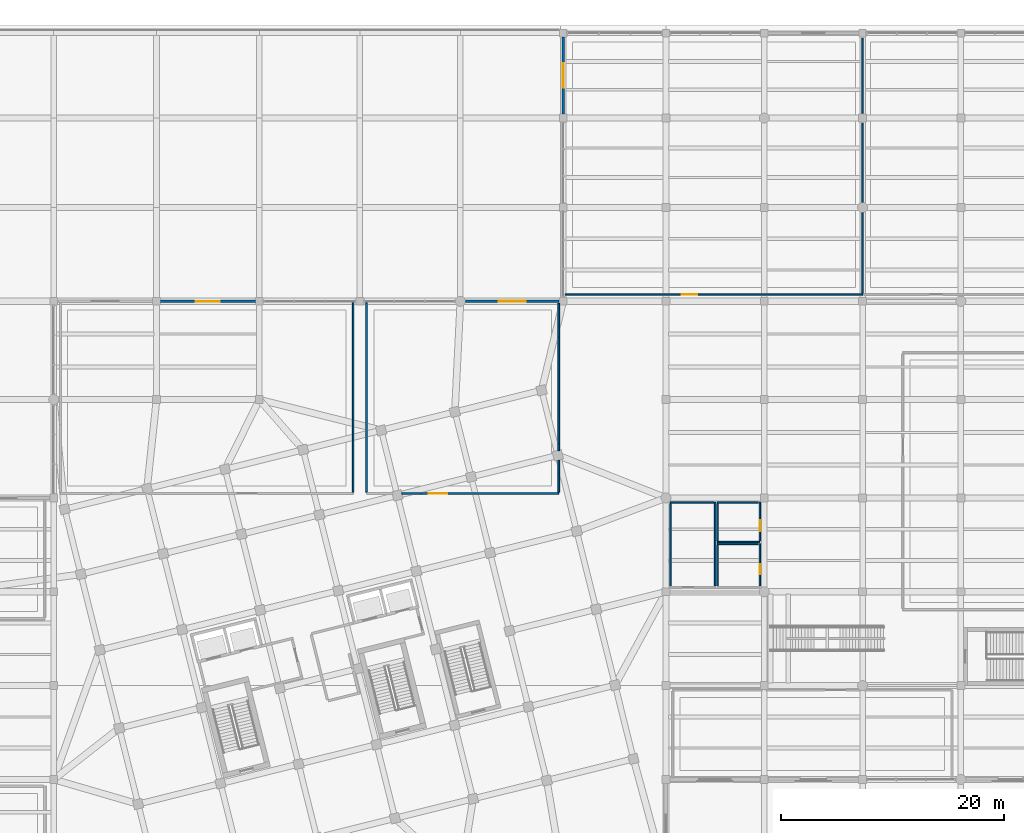
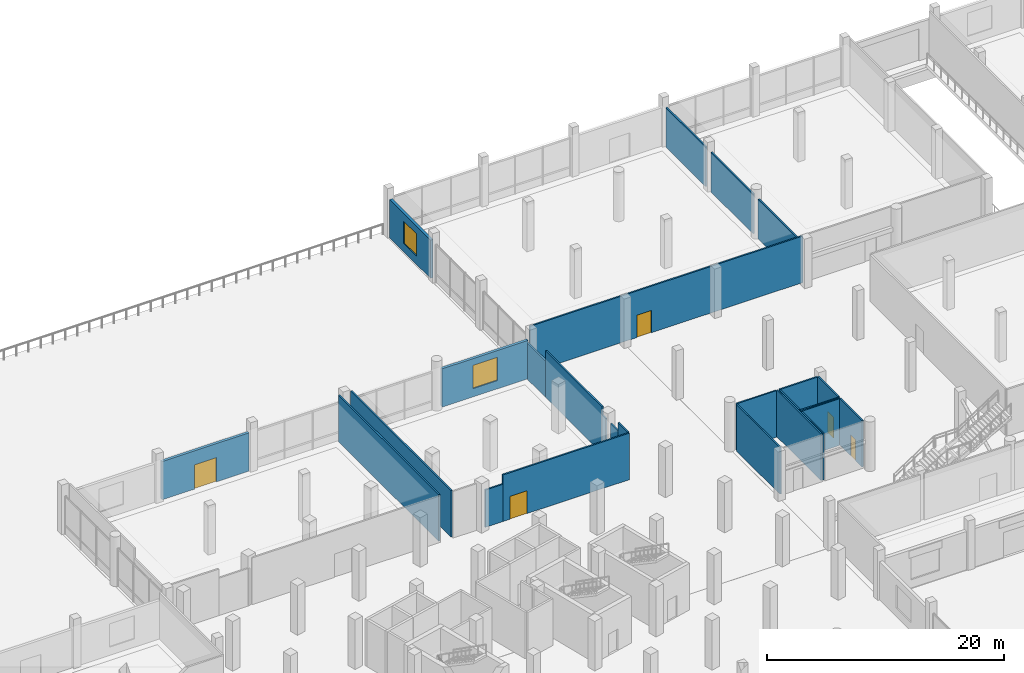
# One storey, part 63 of 73: 26 walls, 5 doors, 2 windows, 7 openings.
"""IFC4 building model written with IfcOpenShell, lengths in metres."""

from ifc_helpers import new_model, si_unit, direction, frame, frame_2d, origin, place, context, subcontext, project, spatial, rectangle, extrude, material, layer, layer_set, type_object, element, fill, save


model = new_model("IFC4")

# Units and contexts
model_context = context("Model", 3, precision=1e-05, world=origin(), true_north=direction((0.0, 1.0)))
body_context = subcontext(model_context, "Body", "Model", "MODEL_VIEW")
ifc_project = project(units=[si_unit("LENGTHUNIT", "METRE"), si_unit("AREAUNIT", "SQUARE_METRE"), si_unit("VOLUMEUNIT", "CUBIC_METRE"), si_unit("PLANEANGLEUNIT", "RADIAN"), si_unit("MASSUNIT", "GRAM", prefix="KILO")], contexts=[model_context])

# Site, building, storey
site_placement = place(None, origin())
site = spatial("IfcSite", under=ifc_project, at=site_placement, CompositionType="ELEMENT")
building_placement = place(site_placement, origin())
building = spatial("IfcBuilding", under=site, at=building_placement, Name="Meriwether Solvik Hall", CompositionType="ELEMENT")
storey_placement = place(building_placement, origin())
storey = spatial("IfcBuildingStorey", under=building, at=storey_placement, Name="L00", CompositionType="ELEMENT", Elevation=0.0)

# Wall, opening, door
ifc_material_1 = material(Name="Terracotta Cladding on Concrete C40/50", Category="masonry")
ifc_layer_1 = layer(ifc_material_1, 0.2548828125)
ifc_layer_set_1 = layer_set([ifc_layer_1], Name="Terracotta Cladding on Concrete C40/50")
wall_type_1 = type_object("IfcWallType", Name="WALL-EXT-255", PredefinedType="SOLIDWALL", material=ifc_layer_set_1)
wall_1_placement = place(storey_placement, frame((68.9619140625, 92.800048828125, 0.0), z_axis=(0.0, 0.0, 1.0), x_axis=(1.0, 0.0, 0.0)))
wall_1 = element("IfcWall", 1, at=wall_1_placement, inside=storey, type_object=wall_type_1, Name="L00 N Wing Facade Wall XK_8_23", PredefinedType="SOLIDWALL", context=body_context, shape_type="SweptSolid", body=[
    extrude(rectangle(XDim=8.47607421875, YDim=0.2548828125, at=frame_2d((4.238037109375, 0.0))), origin(), (0.0, 0.0, 1.0), 3.93994140625),
])
opening_1_placement = place(wall_1_placement, frame((3.1630859375, 0.0, 0.0)))
opening_1 = element("IfcOpeningElement", 2, at=opening_1_placement, cuts=wall_1, Name="Opening D-136", PredefinedType="OPENING", context=body_context, shape_type="SweptSolid", body=[
    extrude(rectangle(XDim=2.14990234375, YDim=2.5, at=frame_2d((1.074951171875, 1.25))), frame((0.0, 0.139404296875, 0.0), z_axis=(0.0, -1.0, 0.0), x_axis=(1.0, 0.0, 0.0)), (0.0, 0.0, 1.0), 0.27880859375),
])
ifc_material_2 = material(Name="Thermally Broken Anodised Aluminium and Laminated Glass", Category="aluminium")
door_type_1 = type_object("IfcDoorType", Name="DR-EXT-EXIT-2150", OperationType="DOUBLE_DOOR_SINGLE_SWING", PredefinedType="DOOR", material=ifc_material_2)
door_1_placement = place(opening_1_placement, origin())
door_1 = element("IfcDoor", 3, at=door_1_placement, inside=storey, type_object=door_type_1, Name="North Garden Court Galleria Entrance", OperationType="DOUBLE_DOOR_SINGLE_SWING", OverallHeight=2.5, OverallWidth=2.14990234375, PredefinedType="DOOR", context=body_context, shape_type="SweptSolid", body=[
    extrude(rectangle(XDim=2.14990234375, YDim=2.5, at=frame_2d((1.074951171875, 1.25))), frame((0.0, 0.02490234375, 0.0), z_axis=(0.0, -1.0, 0.0), x_axis=(1.0, 0.0, 0.0)), (0.0, 0.0, 1.0), 0.050048828125),
])
fill(opening_1, door_1)

# Wall, opening, window
wall_2_placement = place(storey_placement, frame((96.261962890625, 92.800048828125, 0.0), z_axis=(0.0, 0.0, 1.0), x_axis=(1.0, 0.0, 0.0)))
wall_2 = element("IfcWall", 4, at=wall_2_placement, inside=storey, type_object=wall_type_1, Name="L00 N Wing Facade Wall XK_11_26", PredefinedType="SOLIDWALL", context=body_context, shape_type="SweptSolid", body=[
    extrude(rectangle(XDim=8.3759765625, YDim=0.2548828125, at=frame_2d((4.18798828125, 0.0))), origin(), (0.0, 0.0, 1.0), 3.93994140625),
])
opening_2_placement = place(wall_2_placement, frame((2.988037109375, 0.0, 0.85009765625)))
opening_2 = element("IfcOpeningElement", 5, at=opening_2_placement, cuts=wall_2, Name="Opening WN-105", PredefinedType="OPENING", context=body_context, shape_type="SweptSolid", body=[
    extrude(rectangle(XDim=2.39990234375, YDim=2.39990234375, at=frame_2d((1.199951171875, 1.199951171875))), frame((0.0, 0.139404296875, 0.0), z_axis=(0.0, -1.0, 0.0), x_axis=(1.0, 0.0, 0.0)), (0.0, 0.0, 1.0), 0.27880859375),
])
ifc_material_3 = material(Name="Thermally Broken Anodised Aluminium and Triple Low-E Glass", Category="aluminium")
window_type_1 = type_object("IfcWindowType", Name="WIN-POD-NORTH-240X240", PartitioningType="SINGLE_PANEL", PredefinedType="WINDOW", material=ifc_material_3)
window_1_placement = place(opening_2_placement, origin())
window_1 = element("IfcWindow", 6, at=window_1_placement, inside=storey, type_object=window_type_1, Name="L00 N Window XK_11_26", OverallHeight=2.39990234375, OverallWidth=2.39990234375, PartitioningType="SINGLE_PANEL", PredefinedType="WINDOW", context=body_context, shape_type="SweptSolid", body=[
    extrude(rectangle(XDim=2.39990234375, YDim=2.39990234375, at=frame_2d((1.199951171875, 1.199951171875))), frame((0.0, 0.030029296875, 0.0), z_axis=(0.0, -1.0, 0.0), x_axis=(1.0, 0.0, 0.0)), (0.0, 0.0, 1.0), 0.06005859375),
])
fill(opening_2, window_1)

wall_3_placement = place(storey_placement, frame((105.0, 109.56201171875, 0.0), z_axis=(0.0, 0.0, 1.0), x_axis=(0.0, 1.0, 0.0)))
wall_3 = element("IfcWall", 7, at=wall_3_placement, inside=storey, type_object=wall_type_1, Name="L00 W Wing Facade Wall Y12_13_58", PredefinedType="SOLIDWALL", context=body_context, shape_type="SweptSolid", body=[
    extrude(rectangle(XDim=6.90087890625, YDim=0.2548828125, at=frame_2d((3.450439453125, 0.0))), origin(), (0.0, 0.0, 1.0), 3.93994140625),
])
opening_3_placement = place(wall_3_placement, frame((2.3505859375, 0.0, 0.85009765625)))
opening_3 = element("IfcOpeningElement", 8, at=opening_3_placement, cuts=wall_3, Name="Opening WN-175", PredefinedType="OPENING", context=body_context, shape_type="SweptSolid", body=[
    extrude(rectangle(XDim=2.199951171875, YDim=2.300048828125, at=frame_2d((1.10009765625, 1.14990234375))), frame((0.0, 0.139404296875, 0.0), z_axis=(0.0, -1.0, 0.0), x_axis=(1.0, 0.0, 0.0)), (0.0, 0.0, 1.0), 0.27880859375),
])
ifc_material_4 = material(Name="Thermally Broken Anodised Aluminium and Triple Low-E Glass", Category="aluminium")
window_type_2 = type_object("IfcWindowType", Name="WIN-POD-WEST-220X230", PartitioningType="SINGLE_PANEL", PredefinedType="WINDOW", material=ifc_material_4)
window_2_placement = place(opening_3_placement, origin())
window_2 = element("IfcWindow", 9, at=window_2_placement, inside=storey, type_object=window_type_2, Name="L00 W Window Y12_13_58", OverallHeight=2.300048828125, OverallWidth=2.199951171875, PartitioningType="SINGLE_PANEL", PredefinedType="WINDOW", context=body_context, shape_type="SweptSolid", body=[
    extrude(rectangle(XDim=2.199951171875, YDim=2.300048828125, at=frame_2d((1.10009765625, 1.14990234375))), frame((0.0, 0.030029296875, 0.0), z_axis=(0.0, -1.0, 0.0), x_axis=(1.0, 0.0, 0.0)), (0.0, 0.0, 1.0), 0.06005859375),
])
fill(opening_3, window_2)

# Walls
ifc_material_5 = material(Name="Gypsum Board Partition", Category="gypsum")
ifc_layer_2 = layer(ifc_material_5, 0.14990234375)
ifc_layer_set_2 = layer_set([ifc_layer_2], Name="Gypsum Board Partition")
wall_type_2 = type_object("IfcWallType", Name="WALL-PART-150", PredefinedType="PARTITIONING", material=ifc_layer_set_2)
wall_4_placement = place(storey_placement, frame((86.199951171875, 75.719970703125, 0.0), z_axis=(0.0, 0.0, 1.0), x_axis=(0.0, 1.0, 0.0)))
element("IfcWall", 10, at=wall_4_placement, inside=storey, type_object=wall_type_2, Name="L00 Interior Partition civ_gal_e", PredefinedType="PARTITIONING", context=body_context, shape_type="SweptSolid", body=[
    extrude(rectangle(XDim=16.929931640625, YDim=0.14990234375, at=frame_2d((8.46484375, 0.0))), origin(), (0.0, 0.0, 1.0), 4.800048828125),
])
wall_5_placement = place(storey_placement, frame((90.565673828125, 75.60009765625, 0.0), z_axis=(0.0, 0.0, 1.0), x_axis=(1.0, 0.0, 0.0)))
element("IfcWall", 11, at=wall_5_placement, inside=storey, type_object=wall_type_2, Name="L00 Interior Partition svc_hub_s_s2", PredefinedType="PARTITIONING", context=body_context, shape_type="SweptSolid", body=[
    extrude(rectangle(XDim=1.702880859375, YDim=0.14990234375, at=frame_2d((0.8515625, 0.0))), origin(), (0.0, 0.0, 1.0), 3.85009765625),
])

# Wall, opening, door
wall_6_placement = place(storey_placement, frame((92.2685546875, 75.60009765625, 0.0), z_axis=(0.0, 0.0, 1.0), x_axis=(1.0, 0.0, 0.0)))
wall_6 = element("IfcWall", 12, at=wall_6_placement, inside=storey, type_object=wall_type_2, Name="L00 Interior Partition svc_hub_s_s3", PredefinedType="PARTITIONING", context=body_context, shape_type="SweptSolid", body=[
    extrude(rectangle(XDim=12.33154296875, YDim=0.14990234375, at=frame_2d((6.165771484375, 0.0))), origin(), (0.0, 0.0, 1.0), 4.800048828125),
])
opening_4_placement = place(wall_6_placement, frame((0.717041015625, 0.0, 0.0)))
opening_4 = element("IfcOpeningElement", 13, at=opening_4_placement, cuts=wall_6, Name="Opening D-137", PredefinedType="OPENING", context=body_context, shape_type="SweptSolid", body=[
    extrude(rectangle(XDim=1.64990234375, YDim=2.35009765625, at=frame_2d((0.824951171875, 1.175048828125))), frame((0.0, 0.0869140625, 0.0), z_axis=(0.0, -1.0, 0.0), x_axis=(1.0, 0.0, 0.0)), (0.0, 0.0, 1.0), 0.173828125),
])
ifc_material_6 = material(Name="Laminated Vision Glass and Solid White Oak Timber", Category="wood")
door_type_2 = type_object("IfcDoorType", Name="DR-INT-1650", OperationType="DOUBLE_DOOR_SINGLE_SWING", PredefinedType="DOOR", material=ifc_material_6)
door_2_placement = place(opening_4_placement, origin())
door_2 = element("IfcDoor", 14, at=door_2_placement, inside=storey, type_object=door_type_2, Name="Civic Volunteer and Food Pantry Hub Door", OperationType="DOUBLE_DOOR_SINGLE_SWING", OverallHeight=2.35009765625, OverallWidth=1.64990234375, PredefinedType="DOOR", context=body_context, shape_type="SweptSolid", body=[
    extrude(rectangle(XDim=1.64990234375, YDim=2.35009765625, at=frame_2d((0.824951171875, 1.175048828125))), frame((0.0, 0.02490234375, 0.0), z_axis=(0.0, -1.0, 0.0), x_axis=(1.0, 0.0, 0.0)), (0.0, 0.0, 1.0), 0.050048828125),
])
fill(opening_4, door_2)

# Walls
wall_7_placement = place(storey_placement, frame((104.60009765625, 75.719970703125, 0.0), z_axis=(0.0, 0.0, 1.0), x_axis=(0.0, 1.0, 0.0)))
element("IfcWall", 15, at=wall_7_placement, inside=storey, type_object=wall_type_2, Name="L00 Interior Partition svc_hub_e", PredefinedType="PARTITIONING", context=body_context, shape_type="SweptSolid", body=[
    extrude(rectangle(XDim=1.634521484375, YDim=0.14990234375, at=frame_2d((0.8173828125, 0.0))), origin(), (0.0, 0.0, 1.0), 4.800048828125),
])
wall_8_placement = place(storey_placement, frame((104.60009765625, 77.3544921875, 0.0), z_axis=(0.0, 0.0, 1.0), x_axis=(0.0, 1.0, 0.0)))
element("IfcWall", 16, at=wall_8_placement, inside=storey, type_object=wall_type_2, Name="L00 Interior Partition svc_hub_e_s2", PredefinedType="PARTITIONING", context=body_context, shape_type="SweptSolid", body=[
    extrude(rectangle(XDim=1.226318359375, YDim=0.14990234375, at=frame_2d((0.61328125, 0.0))), origin(), (0.0, 0.0, 1.0), 3.949951171875),
])
wall_9_placement = place(storey_placement, frame((104.60009765625, 79.44482421875, 0.0), z_axis=(0.0, 0.0, 1.0), x_axis=(0.0, 1.0, 0.0)))
element("IfcWall", 17, at=wall_9_placement, inside=storey, type_object=wall_type_2, Name="L00 Interior Partition svc_hub_e_s3", PredefinedType="PARTITIONING", context=body_context, shape_type="SweptSolid", body=[
    extrude(rectangle(XDim=0.578125, YDim=0.14990234375, at=frame_2d((0.2890625, 0.0))), origin(), (0.0, 0.0, 1.0), 3.949951171875),
])
wall_10_placement = place(storey_placement, frame((104.60009765625, 80.02294921875, 0.0), z_axis=(0.0, 0.0, 1.0), x_axis=(0.0, 1.0, 0.0)))
element("IfcWall", 18, at=wall_10_placement, inside=storey, type_object=wall_type_2, Name="L00 Interior Partition svc_hub_e_s4", PredefinedType="PARTITIONING", context=body_context, shape_type="SweptSolid", body=[
    extrude(rectangle(XDim=9.546630859375, YDim=0.14990234375, at=frame_2d((4.7734375, 0.0))), origin(), (0.0, 0.0, 1.0), 4.800048828125),
])
wall_11_placement = place(storey_placement, frame((104.60009765625, 89.569580078125, 0.0), z_axis=(0.0, 0.0, 1.0), x_axis=(0.0, 1.0, 0.0)))
element("IfcWall", 19, at=wall_11_placement, inside=storey, type_object=wall_type_2, Name="L00 Interior Partition svc_hub_e_s5", PredefinedType="PARTITIONING", context=body_context, shape_type="SweptSolid", body=[
    extrude(rectangle(XDim=3.0498046875, YDim=0.14990234375, at=frame_2d((1.52490234375, 0.0))), origin(), (0.0, 0.0, 1.0), 3.75),
])
wall_12_placement = place(storey_placement, frame((87.39990234375, 92.64990234375, 0.0), z_axis=(0.0, 0.0, 1.0), x_axis=(0.0, -1.0, 0.0)))
element("IfcWall", 20, at=wall_12_placement, inside=storey, type_object=wall_type_2, Name="L00 Interior Partition svc_hub_w", PredefinedType="PARTITIONING", context=body_context, shape_type="SweptSolid", body=[
    extrude(rectangle(XDim=16.929931640625, YDim=0.14990234375, at=frame_2d((8.46484375, 0.0))), origin(), (0.0, 0.0, 1.0), 4.800048828125),
])

# Wall, opening, door
wall_13_placement = place(storey_placement, frame((105.199951171875, 93.39990234375, 0.0), z_axis=(0.0, 0.0, 1.0), x_axis=(1.0, 0.0, 0.0)))
wall_13 = element("IfcWall", 21, at=wall_13_placement, inside=storey, type_object=wall_type_2, Name="L00 Interior Partition youth_rec_s", PredefinedType="PARTITIONING", context=body_context, shape_type="SweptSolid", body=[
    extrude(rectangle(XDim=26.60009765625, YDim=0.14990234375, at=frame_2d((13.300048828125, 0.0))), origin(), (0.0, 0.0, 1.0), 4.800048828125),
])
opening_5_placement = place(wall_13_placement, frame((10.4091796875, 0.0, 0.0)))
opening_5 = element("IfcOpeningElement", 22, at=opening_5_placement, cuts=wall_13, Name="Opening D-118", PredefinedType="OPENING", context=body_context, shape_type="SweptSolid", body=[
    extrude(rectangle(XDim=1.39990234375, YDim=2.300048828125, at=frame_2d((0.699951171875, 1.14990234375))), frame((0.0, 0.0869140625, 0.0), z_axis=(0.0, -1.0, 0.0), x_axis=(1.0, 0.0, 0.0)), (0.0, 0.0, 1.0), 0.173828125),
])
ifc_material_7 = material(Name="Solid-Core Rift White Oak Timber", Category="wood")
door_type_3 = type_object("IfcDoorType", Name="DR-YTH-1400", OperationType="DOUBLE_DOOR_SINGLE_SWING", PredefinedType="DOOR", material=ifc_material_7)
door_3_placement = place(opening_5_placement, origin())
door_3 = element("IfcDoor", 23, at=door_3_placement, inside=storey, type_object=door_type_3, Name="Youth Welcome Studio Door", OperationType="DOUBLE_DOOR_SINGLE_SWING", OverallHeight=2.300048828125, OverallWidth=1.39990234375, PredefinedType="DOOR", context=body_context, shape_type="SweptSolid", body=[
    extrude(rectangle(XDim=1.39990234375, YDim=2.300048828125, at=frame_2d((0.699951171875, 1.14990234375))), frame((0.0, 0.02490234375, 0.0), z_axis=(0.0, -1.0, 0.0), x_axis=(1.0, 0.0, 0.0)), (0.0, 0.0, 1.0), 0.050048828125),
])
fill(opening_5, door_3)

# Walls
wall_14_placement = place(storey_placement, frame((131.800048828125, 93.52001953125, 0.0), z_axis=(0.0, 0.0, 1.0), x_axis=(0.0, 1.0, 0.0)))
element("IfcWall", 24, at=wall_14_placement, inside=storey, type_object=wall_type_2, Name="L00 Interior Partition youth_rec_e", PredefinedType="PARTITIONING", context=body_context, shape_type="SweptSolid", body=[
    extrude(rectangle(XDim=7.239990234375, YDim=0.14990234375, at=frame_2d((3.6201171875, 0.0))), origin(), (0.0, 0.0, 1.0), 4.10009765625),
])
wall_15_placement = place(storey_placement, frame((131.800048828125, 101.639892578125, 0.0), z_axis=(0.0, 0.0, 1.0), x_axis=(0.0, 1.0, 0.0)))
element("IfcWall", 25, at=wall_15_placement, inside=storey, type_object=wall_type_2, Name="L00 Interior Partition youth_rec_e_s2", PredefinedType="PARTITIONING", context=body_context, shape_type="SweptSolid", body=[
    extrude(rectangle(XDim=7.1201171875, YDim=0.14990234375, at=frame_2d((3.56005859375, 0.0))), origin(), (0.0, 0.0, 1.0), 4.10009765625),
])
wall_16_placement = place(storey_placement, frame((131.800048828125, 109.639892578125, 0.0), z_axis=(0.0, 0.0, 1.0), x_axis=(0.0, 1.0, 0.0)))
element("IfcWall", 26, at=wall_16_placement, inside=storey, type_object=wall_type_2, Name="L00 Interior Partition youth_rec_e_s3", PredefinedType="PARTITIONING", context=body_context, shape_type="SweptSolid", body=[
    extrude(rectangle(XDim=6.72021484375, YDim=0.14990234375, at=frame_2d((3.360107421875, 0.0))), origin(), (0.0, 0.0, 1.0), 4.10009765625),
])
ifc_material_8 = material(Name="Moisture-Resistant Gypsum Board", Category="gypsum")
ifc_layer_3 = layer(ifc_material_8, 0.139892578125)
ifc_layer_set_3 = layer_set([ifc_layer_3], Name="Moisture-Resistant Gypsum Board")
wall_type_3 = type_object("IfcWallType", Name="WALL-WET-140", PredefinedType="PLUMBINGWALL", material=ifc_layer_set_3)
wall_17_placement = place(storey_placement, frame((118.60009765625, 67.320068359375, 0.0), z_axis=(0.0, 0.0, 1.0), x_axis=(0.0, 1.0, 0.0)))
element("IfcWall", 27, at=wall_17_placement, inside=storey, type_object=wall_type_3, Name="L00 Interior Partition wc_m_l00_e", PredefinedType="PLUMBINGWALL", context=body_context, shape_type="SweptSolid", body=[
    extrude(rectangle(XDim=7.47998046875, YDim=0.139892578125, at=frame_2d((3.739990234375, 0.0))), origin(), (0.0, 0.0, 1.0), 4.800048828125),
])
wall_18_placement = place(storey_placement, frame((118.47998046875, 74.800048828125, 0.0), z_axis=(0.0, 0.0, 1.0), x_axis=(-1.0, 0.0, 0.0)))
element("IfcWall", 28, at=wall_18_placement, inside=storey, type_object=wall_type_3, Name="L00 Interior Partition wc_m_l00_n", PredefinedType="PLUMBINGWALL", context=body_context, shape_type="SweptSolid", body=[
    extrude(rectangle(XDim=3.8798828125, YDim=0.139892578125, at=frame_2d((1.93994140625, 0.0))), origin(), (0.0, 0.0, 1.0), 4.800048828125),
])
wall_19_placement = place(storey_placement, frame((114.60009765625, 74.679931640625, 0.0), z_axis=(0.0, 0.0, 1.0), x_axis=(0.0, -1.0, 0.0)))
element("IfcWall", 29, at=wall_19_placement, inside=storey, type_object=wall_type_3, Name="L00 Interior Partition wc_m_l00_w", PredefinedType="PLUMBINGWALL", context=body_context, shape_type="SweptSolid", body=[
    extrude(rectangle(XDim=7.35986328125, YDim=0.139892578125, at=frame_2d((3.679931640625, 0.0))), origin(), (0.0, 0.0, 1.0), 4.800048828125),
])

# Wall, opening, door
wall_20_placement = place(storey_placement, frame((122.60009765625, 67.320068359375, 0.0), z_axis=(0.0, 0.0, 1.0), x_axis=(0.0, 1.0, 0.0)))
wall_20 = element("IfcWall", 30, at=wall_20_placement, inside=storey, type_object=wall_type_3, Name="L00 Interior Partition wc_f_l00_e", PredefinedType="PLUMBINGWALL", context=body_context, shape_type="SweptSolid", body=[
    extrude(rectangle(XDim=3.780029296875, YDim=0.139892578125, at=frame_2d((1.89013671875, 0.0))), origin(), (0.0, 0.0, 1.0), 4.800048828125),
])
opening_6_placement = place(wall_20_placement, frame((1.063232421875, 0.0, 0.0)))
opening_6 = element("IfcOpeningElement", 31, at=opening_6_placement, cuts=wall_20, Name="Opening D-174", PredefinedType="OPENING", context=body_context, shape_type="SweptSolid", body=[
    extrude(rectangle(XDim=0.89990234375, YDim=2.14990234375, at=frame_2d((0.449951171875, 1.074951171875))), frame((0.0, 0.08203125, 0.0), z_axis=(0.0, -1.0, 0.0), x_axis=(1.0, 0.0, 0.0)), (0.0, 0.0, 1.0), 0.163818359375),
])
ifc_material_9 = material(Name="Solid-Core Rift White Oak Timber", Category="wood")
door_type_4 = type_object("IfcDoorType", Name="DR-WC-900L", OperationType="SINGLE_SWING_LEFT", PredefinedType="DOOR", material=ifc_material_9)
door_4_placement = place(opening_6_placement, origin())
door_4 = element("IfcDoor", 32, at=door_4_placement, inside=storey, type_object=door_type_4, Name="Ground Public Female Restrooms Door", OperationType="SINGLE_SWING_LEFT", OverallHeight=2.14990234375, OverallWidth=0.89990234375, PredefinedType="DOOR", context=body_context, shape_type="SweptSolid", body=[
    extrude(rectangle(XDim=0.89990234375, YDim=2.14990234375, at=frame_2d((0.449951171875, 1.074951171875))), frame((0.0, 0.02490234375, 0.0), z_axis=(0.0, -1.0, 0.0), x_axis=(1.0, 0.0, 0.0)), (0.0, 0.0, 1.0), 0.050048828125),
])
fill(opening_6, door_4)

# Walls
wall_21_placement = place(storey_placement, frame((122.47998046875, 71.10009765625, 0.0), z_axis=(0.0, 0.0, 1.0), x_axis=(-1.0, 0.0, 0.0)))
element("IfcWall", 33, at=wall_21_placement, inside=storey, type_object=wall_type_3, Name="L00 Interior Partition wc_f_l00_n", PredefinedType="PLUMBINGWALL", context=body_context, shape_type="SweptSolid", body=[
    extrude(rectangle(XDim=3.679931640625, YDim=0.139892578125, at=frame_2d((1.83984375, 0.0))), origin(), (0.0, 0.0, 1.0), 4.800048828125),
])
wall_22_placement = place(storey_placement, frame((118.800048828125, 70.97998046875, 0.0), z_axis=(0.0, 0.0, 1.0), x_axis=(0.0, -1.0, 0.0)))
element("IfcWall", 34, at=wall_22_placement, inside=storey, type_object=wall_type_3, Name="L00 Interior Partition wc_f_l00_w", PredefinedType="PLUMBINGWALL", context=body_context, shape_type="SweptSolid", body=[
    extrude(rectangle(XDim=3.659912109375, YDim=0.139892578125, at=frame_2d((1.830078125, 0.0))), origin(), (0.0, 0.0, 1.0), 4.800048828125),
])
wall_23_placement = place(storey_placement, frame((118.800048828125, 71.25, 0.0), z_axis=(0.0, 0.0, 1.0), x_axis=(1.0, 0.0, 0.0)))
element("IfcWall", 35, at=wall_23_placement, inside=storey, type_object=wall_type_3, Name="L00 Interior Partition wc_a_l00_s", PredefinedType="PLUMBINGWALL", context=body_context, shape_type="SweptSolid", body=[
    extrude(rectangle(XDim=3.800048828125, YDim=0.139892578125, at=frame_2d((1.89990234375, 0.0))), origin(), (0.0, 0.0, 1.0), 4.800048828125),
])

# Wall, opening, door
wall_24_placement = place(storey_placement, frame((122.60009765625, 71.3701171875, 0.0), z_axis=(0.0, 0.0, 1.0), x_axis=(0.0, 1.0, 0.0)))
wall_24 = element("IfcWall", 36, at=wall_24_placement, inside=storey, type_object=wall_type_3, Name="L00 Interior Partition wc_a_l00_e", PredefinedType="PLUMBINGWALL", context=body_context, shape_type="SweptSolid", body=[
    extrude(rectangle(XDim=3.429931640625, YDim=0.139892578125, at=frame_2d((1.71484375, 0.0))), origin(), (0.0, 0.0, 1.0), 4.800048828125),
])
opening_7_placement = place(wall_24_placement, frame((0.84423828125, 0.0, 0.0)))
opening_7 = element("IfcOpeningElement", 37, at=opening_7_placement, cuts=wall_24, Name="Opening D-140", PredefinedType="OPENING", context=body_context, shape_type="SweptSolid", body=[
    extrude(rectangle(XDim=1.0, YDim=2.14990234375, at=frame_2d((0.5, 1.074951171875))), frame((0.0, 0.08203125, 0.0), z_axis=(0.0, -1.0, 0.0), x_axis=(1.0, 0.0, 0.0)), (0.0, 0.0, 1.0), 0.163818359375),
])
ifc_material_10 = material(Name="Solid-Core Rift White Oak Timber", Category="wood")
door_type_5 = type_object("IfcDoorType", Name="DR-ACC-1000L", OperationType="SINGLE_SWING_LEFT", PredefinedType="DOOR", material=ifc_material_10)
door_5_placement = place(opening_7_placement, origin())
door_5 = element("IfcDoor", 38, at=door_5_placement, inside=storey, type_object=door_type_5, Name="Ground Accessible WC Door", OperationType="SINGLE_SWING_LEFT", OverallHeight=2.14990234375, OverallWidth=1.0, PredefinedType="DOOR", context=body_context, shape_type="SweptSolid", body=[
    extrude(rectangle(XDim=1.0, YDim=2.14990234375, at=frame_2d((0.5, 1.074951171875))), frame((0.0, 0.02490234375, 0.0), z_axis=(0.0, -1.0, 0.0), x_axis=(1.0, 0.0, 0.0)), (0.0, 0.0, 1.0), 0.050048828125),
])
fill(opening_7, door_5)

# Walls
wall_25_placement = place(storey_placement, frame((122.47998046875, 74.800048828125, 0.0), z_axis=(0.0, 0.0, 1.0), x_axis=(-1.0, 0.0, 0.0)))
element("IfcWall", 39, at=wall_25_placement, inside=storey, type_object=wall_type_3, Name="L00 Interior Partition wc_a_l00_n", PredefinedType="PLUMBINGWALL", context=body_context, shape_type="SweptSolid", body=[
    extrude(rectangle(XDim=3.679931640625, YDim=0.139892578125, at=frame_2d((1.83984375, 0.0))), origin(), (0.0, 0.0, 1.0), 4.800048828125),
])
wall_26_placement = place(storey_placement, frame((118.800048828125, 74.679931640625, 0.0), z_axis=(0.0, 0.0, 1.0), x_axis=(0.0, -1.0, 0.0)))
element("IfcWall", 40, at=wall_26_placement, inside=storey, type_object=wall_type_3, Name="L00 Interior Partition wc_a_l00_w", PredefinedType="PLUMBINGWALL", context=body_context, shape_type="SweptSolid", body=[
    extrude(rectangle(XDim=3.309814453125, YDim=0.139892578125, at=frame_2d((1.65478515625, 0.0))), origin(), (0.0, 0.0, 1.0), 4.800048828125),
])

save(model, "model.ifc")
